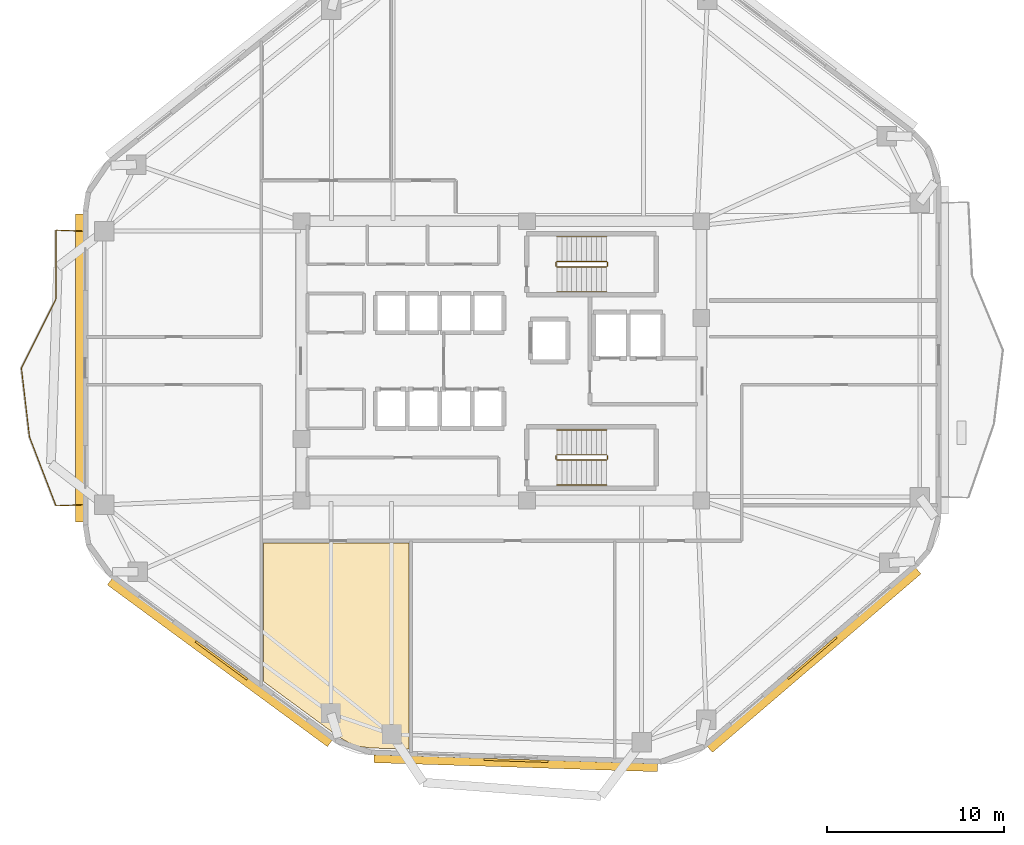
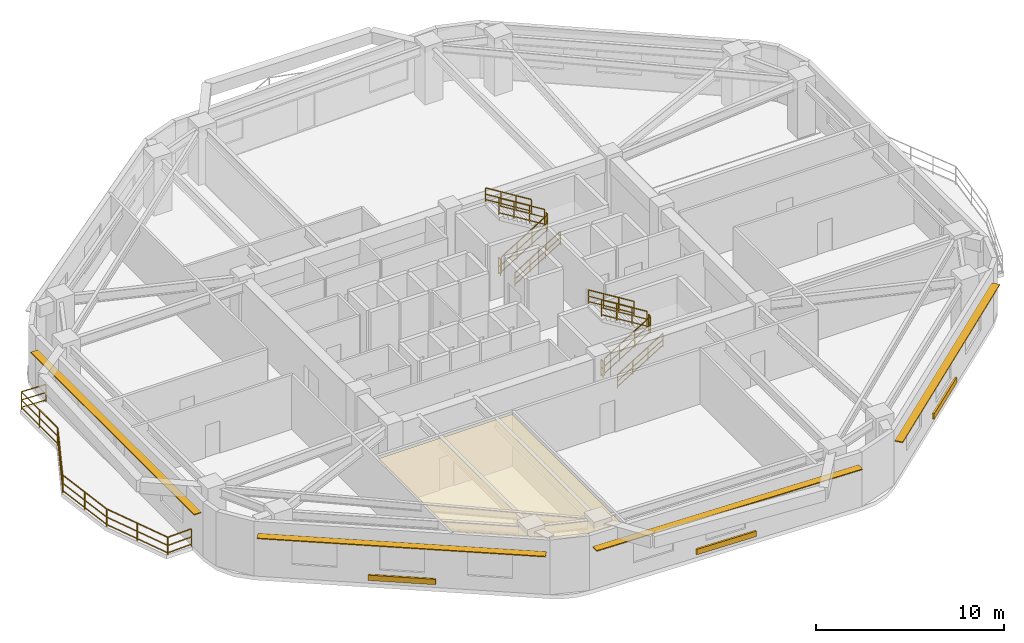
# One storey, part 7 of 8: 18 railings, 7 shading devices, 1 covering.
"""IFC4 building model written with IfcOpenShell, lengths in metres."""

from ifc_helpers import new_model, si_unit, direction, frame, origin, origin_2d, place, context, subcontext, project, spatial, polyline, rectangle, outline, extrude, material, layer, layer_set, type_object, element, save


model = new_model("IFC4")

# Units and contexts
model_context = context("Model", 3, precision=1e-05, world=origin(), true_north=direction((0.0, 1.0)))
body_context = subcontext(model_context, "Body", "Model", "MODEL_VIEW")
ifc_project = project(units=[si_unit("LENGTHUNIT", "METRE"), si_unit("AREAUNIT", "SQUARE_METRE"), si_unit("VOLUMEUNIT", "CUBIC_METRE"), si_unit("PLANEANGLEUNIT", "RADIAN"), si_unit("MASSUNIT", "GRAM", prefix="KILO")], contexts=[model_context])

# Site, building, storey
site_placement = place(None, origin())
site = spatial("IfcSite", under=ifc_project, at=site_placement, CompositionType="ELEMENT")
building_placement = place(site_placement, origin())
building = spatial("IfcBuilding", under=site, at=building_placement, Name="Zulverin Broadcast Headquarters", CompositionType="ELEMENT")
storey_placement = place(building_placement, frame((0.0, 0.0, 151.60009765625)))
storey = spatial("IfcBuildingStorey", under=building, at=storey_placement, Name="L38", CompositionType="ELEMENT", Elevation=151.60009765625)

# Covering
ifc_material_1 = material(Name="Perforated pale-metal acoustic baffle ceiling", Category="aluminium")
ifc_layer_1 = layer(ifc_material_1, 0.0400390625, Name="Perforated pale-metal acoustic baffle ceiling", Category="aluminium")
ifc_layer_set_1 = layer_set([ifc_layer_1], Name="Perforated pale-metal acoustic baffle ceiling")
covering_type = type_object("IfcCoveringType", Name="COV-CEIL-ACOU", PredefinedType="CEILING", material=ifc_layer_set_1)
covering_placement = place(storey_placement, frame((0.0, 0.0, 3.35986328125)))
element("IfcCovering", 1, at=covering_placement, inside=storey, type_object=covering_type, Name="L38 Acoustic Baffle Ceiling 03", PredefinedType="CEILING", context=body_context, shape_type="SweptSolid", body=[
    extrude(outline(polyline([(28.39599609375, 3.659912109375), (29.0, 3.447998046875), (29.652099609375, 3.364013671875), (31.780029296875, 3.2958984375), (31.780029296875, 14.931884765625), (23.572021484375, 14.931884765625), (23.572021484375, 7.1201171875), (27.823974609375, 3.99609375), (28.39599609375, 3.659912109375)])), origin(), (0.0, 0.0, 1.0), 0.0400390625),
])

# Railings
ifc_material_2 = material(Name="Brushed stainless steel & laminated glass balustrade", Category="steel")
railing_type_1 = type_object("IfcRailingType", Name="RL-GUARD-1150", PredefinedType="GUARDRAIL", material=ifc_material_2)
railing_1_placement = place(storey_placement, frame((13.360107421875, 32.51318359375, 0.0)))
element("IfcRailing", 2, at=railing_1_placement, inside=storey, type_object=railing_type_1, Name="L38 Vertical-Forest Balcony Guardrail BAL_W Segment 01", PredefinedType="GUARDRAIL", context=body_context, shape_type="SweptSolid", body=[
    extrude(rectangle(XDim=0.048095703125, YDim=0.048095703125, at=origin_2d()), frame((0.0, 0.0, 1.1259765625), z_axis=(-0.999181155166, 0.040460093435, 0.0), x_axis=(-0.040460093435, -0.999181155166, 0.0)), (0.0, 0.0, 1.0), 1.46630859375),
    extrude(rectangle(XDim=0.0419921875, YDim=0.0419921875, at=origin_2d()), frame((0.0, 0.0, 0.597900390625), z_axis=(-0.999181155166, 0.040460093435, 0.0), x_axis=(-0.040460093435, -0.999181155166, 0.0)), (0.0, 0.0, 1.0), 1.46630859375),
    extrude(rectangle(XDim=0.0419921875, YDim=0.0419921875, at=origin_2d()), frame((0.0, 0.0, 0.1201171875), z_axis=(-0.999181155166, 0.040460093435, 0.0), x_axis=(-0.040460093435, -0.999181155166, 0.0)), (0.0, 0.0, 1.0), 1.46630859375),
    extrude(rectangle(XDim=0.0419921875, YDim=0.0419921875, at=origin_2d()), origin(), (0.0, 0.0, 1.0), 1.101806640625),
    extrude(rectangle(XDim=0.0419921875, YDim=0.0419921875, at=origin_2d()), frame((-1.465087890625, 0.059326171875, 0.0)), (0.0, 0.0, 1.0), 1.101806640625),
])
railing_2_placement = place(storey_placement, frame((11.8798828125, 32.55810546875, 0.0)))
element("IfcRailing", 3, at=railing_2_placement, inside=storey, type_object=railing_type_1, Name="L38 Vertical-Forest Balcony Guardrail BAL_W Segment 02", PredefinedType="GUARDRAIL", context=body_context, shape_type="SweptSolid", body=[
    extrude(rectangle(XDim=0.048095703125, YDim=0.048095703125, at=origin_2d()), frame((0.0, 0.0, 1.1259765625), z_axis=(0.0, -1.0, 0.0), x_axis=(1.0, 0.0, 0.0)), (0.0, 0.0, 1.0), 3.857666015625),
    extrude(rectangle(XDim=0.0419921875, YDim=0.0419921875, at=origin_2d()), frame((0.0, 0.0, 0.597900390625), z_axis=(0.0, -1.0, 0.0), x_axis=(1.0, 0.0, 0.0)), (0.0, 0.0, 1.0), 3.857666015625),
    extrude(rectangle(XDim=0.0419921875, YDim=0.0419921875, at=origin_2d()), frame((0.0, 0.0, 0.1201171875), z_axis=(0.0, -1.0, 0.0), x_axis=(1.0, 0.0, 0.0)), (0.0, 0.0, 1.0), 3.857666015625),
    extrude(rectangle(XDim=0.0419921875, YDim=0.0419921875, at=origin_2d()), origin(), (0.0, 0.0, 1.0), 1.101806640625),
    extrude(rectangle(XDim=0.0419921875, YDim=0.0419921875, at=origin_2d()), frame((0.0, -1.9287109375, 0.0)), (0.0, 0.0, 1.0), 1.101806640625),
    extrude(rectangle(XDim=0.0419921875, YDim=0.0419921875, at=origin_2d()), frame((0.0, -3.857666015625, 0.0)), (0.0, 0.0, 1.0), 1.101806640625),
])
railing_3_placement = place(storey_placement, frame((11.873291015625, 28.672119140625, 0.0)))
element("IfcRailing", 4, at=railing_3_placement, inside=storey, type_object=railing_type_1, Name="L38 Vertical-Forest Balcony Guardrail BAL_W Segment 03", PredefinedType="GUARDRAIL", context=body_context, shape_type="SweptSolid", body=[
    extrude(rectangle(XDim=0.048095703125, YDim=0.048095703125, at=origin_2d()), frame((0.0, 0.0, 1.1259765625), z_axis=(-0.44832105539, -0.893872603504, 0.0), x_axis=(0.893872603504, -0.44832105539, 0.0)), (0.0, 0.0, 1.0), 4.319580078125),
    extrude(rectangle(XDim=0.0419921875, YDim=0.0419921875, at=origin_2d()), frame((0.0, 0.0, 0.597900390625), z_axis=(-0.44832105539, -0.893872603504, 0.0), x_axis=(0.893872603504, -0.44832105539, 0.0)), (0.0, 0.0, 1.0), 4.319580078125),
    extrude(rectangle(XDim=0.0419921875, YDim=0.0419921875, at=origin_2d()), frame((0.0, 0.0, 0.1201171875), z_axis=(-0.44832105539, -0.893872603504, 0.0), x_axis=(0.893872603504, -0.44832105539, 0.0)), (0.0, 0.0, 1.0), 4.319580078125),
    extrude(rectangle(XDim=0.0419921875, YDim=0.0419921875, at=origin_2d()), origin(), (0.0, 0.0, 1.0), 1.101806640625),
    extrude(rectangle(XDim=0.0419921875, YDim=0.0419921875, at=origin_2d()), frame((-0.96826171875, -1.9306640625, 0.0)), (0.0, 0.0, 1.0), 1.101806640625),
    extrude(rectangle(XDim=0.0419921875, YDim=0.0419921875, at=origin_2d()), frame((-1.9365234375, -3.861083984375, 0.0)), (0.0, 0.0, 1.0), 1.101806640625),
])
railing_4_placement = place(storey_placement, frame((9.931640625, 24.78271484375, 0.0)))
element("IfcRailing", 5, at=railing_4_placement, inside=storey, type_object=railing_type_1, Name="L38 Vertical-Forest Balcony Guardrail BAL_W Segment 04", PredefinedType="GUARDRAIL", context=body_context, shape_type="SweptSolid", body=[
    extrude(rectangle(XDim=0.048095703125, YDim=0.048095703125, at=origin_2d()), frame((0.0, 0.0, 1.1259765625), z_axis=(0.116582345699, -0.993181029154, 0.0), x_axis=(0.993181029154, 0.116582345699, 0.0)), (0.0, 0.0, 1.0), 3.884765625),
    extrude(rectangle(XDim=0.0419921875, YDim=0.0419921875, at=origin_2d()), frame((0.0, 0.0, 0.597900390625), z_axis=(0.116582345699, -0.993181029154, 0.0), x_axis=(0.993181029154, 0.116582345699, 0.0)), (0.0, 0.0, 1.0), 3.884765625),
    extrude(rectangle(XDim=0.0419921875, YDim=0.0419921875, at=origin_2d()), frame((0.0, 0.0, 0.1201171875), z_axis=(0.116582345699, -0.993181029154, 0.0), x_axis=(0.993181029154, 0.116582345699, 0.0)), (0.0, 0.0, 1.0), 3.884765625),
    extrude(rectangle(XDim=0.0419921875, YDim=0.0419921875, at=origin_2d()), origin(), (0.0, 0.0, 1.0), 1.101806640625),
    extrude(rectangle(XDim=0.0419921875, YDim=0.0419921875, at=origin_2d()), frame((0.2265625, -1.92919921875, 0.0)), (0.0, 0.0, 1.0), 1.101806640625),
    extrude(rectangle(XDim=0.0419921875, YDim=0.0419921875, at=origin_2d()), frame((0.452880859375, -3.858154296875, 0.0)), (0.0, 0.0, 1.0), 1.101806640625),
])
railing_5_placement = place(storey_placement, frame((10.3916015625, 20.895751953125, 0.0)))
element("IfcRailing", 6, at=railing_5_placement, inside=storey, type_object=railing_type_1, Name="L38 Vertical-Forest Balcony Guardrail BAL_W Segment 05", PredefinedType="GUARDRAIL", context=body_context, shape_type="SweptSolid", body=[
    extrude(rectangle(XDim=0.048095703125, YDim=0.048095703125, at=origin_2d()), frame((0.0, 0.0, 1.1259765625), z_axis=(0.358630879649, -0.933479454601, 0.0), x_axis=(0.933479454601, 0.358630879649, 0.0)), (0.0, 0.0, 1.0), 4.135009765625),
    extrude(rectangle(XDim=0.0419921875, YDim=0.0419921875, at=origin_2d()), frame((0.0, 0.0, 0.597900390625), z_axis=(0.358630879649, -0.933479454601, 0.0), x_axis=(0.933479454601, 0.358630879649, 0.0)), (0.0, 0.0, 1.0), 4.135009765625),
    extrude(rectangle(XDim=0.0419921875, YDim=0.0419921875, at=origin_2d()), frame((0.0, 0.0, 0.1201171875), z_axis=(0.358630879649, -0.933479454601, 0.0), x_axis=(0.933479454601, 0.358630879649, 0.0)), (0.0, 0.0, 1.0), 4.135009765625),
    extrude(rectangle(XDim=0.0419921875, YDim=0.0419921875, at=origin_2d()), origin(), (0.0, 0.0, 1.0), 1.101806640625),
    extrude(rectangle(XDim=0.0419921875, YDim=0.0419921875, at=origin_2d()), frame((0.741455078125, -1.929931640625, 0.0)), (0.0, 0.0, 1.0), 1.101806640625),
    extrude(rectangle(XDim=0.0419921875, YDim=0.0419921875, at=origin_2d()), frame((1.48291015625, -3.85986328125, 0.0)), (0.0, 0.0, 1.0), 1.101806640625),
])
railing_6_placement = place(storey_placement, frame((11.89501953125, 17.0224609375, 0.0)))
element("IfcRailing", 7, at=railing_6_placement, inside=storey, type_object=railing_type_1, Name="L38 Vertical-Forest Balcony Guardrail BAL_W Segment 06", PredefinedType="GUARDRAIL", context=body_context, shape_type="SweptSolid", body=[
    extrude(rectangle(XDim=0.048095703125, YDim=0.048095703125, at=origin_2d()), frame((0.0, 0.0, 1.1259765625), z_axis=(0.999181155166, 0.040460093435, 0.0), x_axis=(-0.040460093435, 0.999181155166, 0.0)), (0.0, 0.0, 1.0), 1.46630859375),
    extrude(rectangle(XDim=0.0419921875, YDim=0.0419921875, at=origin_2d()), frame((0.0, 0.0, 0.597900390625), z_axis=(0.999181155166, 0.040460093435, 0.0), x_axis=(-0.040460093435, 0.999181155166, 0.0)), (0.0, 0.0, 1.0), 1.46630859375),
    extrude(rectangle(XDim=0.0419921875, YDim=0.0419921875, at=origin_2d()), frame((0.0, 0.0, 0.1201171875), z_axis=(0.999181155166, 0.040460093435, 0.0), x_axis=(-0.040460093435, 0.999181155166, 0.0)), (0.0, 0.0, 1.0), 1.46630859375),
    extrude(rectangle(XDim=0.0419921875, YDim=0.0419921875, at=origin_2d()), origin(), (0.0, 0.0, 1.0), 1.101806640625),
    extrude(rectangle(XDim=0.0419921875, YDim=0.0419921875, at=origin_2d()), frame((1.465087890625, 0.059326171875, 0.0)), (0.0, 0.0, 1.0), 1.101806640625),
])
ifc_material_3 = material(Name="Painted galvanized steel tubular guardrail S355JR", Category="steel")
railing_type_2 = type_object("IfcRailingType", Name="RL-ST-GUARD", PredefinedType="GUARDRAIL", material=ifc_material_3)
railing_7_placement = place(storey_placement, frame((40.1298828125, 30.5, 0.172607421875)))
element("IfcRailing", 8, at=railing_7_placement, inside=storey, type_object=railing_type_2, Name="L38 ST-1 stair guard 1", PredefinedType="GUARDRAIL", context=body_context, shape_type="SweptSolid", body=[
    extrude(rectangle(XDim=0.048095703125, YDim=0.048095703125, at=origin_2d()), frame((0.0, 0.0, 1.076171875), z_axis=(0.851089632645, 0.0, 0.525020415988), x_axis=(0.0, 1.0, 0.0)), (0.0, 0.0, 1.0), 3.2900390625),
    extrude(rectangle(XDim=0.0419921875, YDim=0.0419921875, at=origin_2d()), frame((0.0, 0.0, 0.572021484375), z_axis=(0.851089632645, 0.0, 0.525020415988), x_axis=(0.0, 1.0, 0.0)), (0.0, 0.0, 1.0), 3.2900390625),
    extrude(rectangle(XDim=0.0419921875, YDim=0.0419921875, at=origin_2d()), frame((0.0, 0.0, 0.1201171875), z_axis=(0.851089632645, 0.0, 0.525020415988), x_axis=(0.0, 1.0, 0.0)), (0.0, 0.0, 1.0), 3.2900390625),
    extrude(rectangle(XDim=0.0419921875, YDim=0.0419921875, at=origin_2d()), origin(), (0.0, 0.0, 1.0), 1.052001953125),
    extrude(rectangle(XDim=0.0419921875, YDim=0.0419921875, at=origin_2d()), frame((0.933349609375, 0.0, 0.57568359375)), (0.0, 0.0, 1.0), 1.052001953125),
    extrude(rectangle(XDim=0.0419921875, YDim=0.0419921875, at=origin_2d()), frame((1.86669921875, 0.0, 1.151611328125)), (0.0, 0.0, 1.0), 1.052001953125),
    extrude(rectangle(XDim=0.0419921875, YDim=0.0419921875, at=origin_2d()), frame((2.800048828125, 0.0, 1.727294921875)), (0.0, 0.0, 1.0), 1.052001953125),
])
railing_8_placement = place(storey_placement, frame((42.97998046875, 30.550048828125, 1.89990234375)))
element("IfcRailing", 9, at=railing_8_placement, inside=storey, type_object=railing_type_2, Name="L38 ST-1 stair guard 2", PredefinedType="GUARDRAIL", context=body_context, shape_type="SweptSolid", body=[
    extrude(rectangle(XDim=0.048095703125, YDim=0.048095703125, at=origin_2d()), frame((0.0, 0.0, 1.076171875), z_axis=(0.0, 1.0, 0.0), x_axis=(-1.0, 0.0, 0.0)), (0.0, 0.0, 1.0), 0.199951171875),
    extrude(rectangle(XDim=0.0419921875, YDim=0.0419921875, at=origin_2d()), frame((0.0, 0.0, 0.572021484375), z_axis=(0.0, 1.0, 0.0), x_axis=(-1.0, 0.0, 0.0)), (0.0, 0.0, 1.0), 0.199951171875),
    extrude(rectangle(XDim=0.0419921875, YDim=0.0419921875, at=origin_2d()), frame((0.0, 0.0, 0.1201171875), z_axis=(0.0, 1.0, 0.0), x_axis=(-1.0, 0.0, 0.0)), (0.0, 0.0, 1.0), 0.199951171875),
    extrude(rectangle(XDim=0.0419921875, YDim=0.0419921875, at=origin_2d()), origin(), (0.0, 0.0, 1.0), 1.052001953125),
    extrude(rectangle(XDim=0.0419921875, YDim=0.0419921875, at=origin_2d()), frame((0.0, 0.199951171875, 0.0)), (0.0, 0.0, 1.0), 1.052001953125),
])
railing_9_placement = place(storey_placement, frame((42.929931640625, 30.800048828125, 2.072509765625)))
element("IfcRailing", 10, at=railing_9_placement, inside=storey, type_object=railing_type_2, Name="L38 ST-1 stair guard 3", PredefinedType="GUARDRAIL", context=body_context, shape_type="SweptSolid", body=[
    extrude(rectangle(XDim=0.048095703125, YDim=0.048095703125, at=origin_2d()), frame((0.0, 0.0, 1.076171875), z_axis=(-0.851089632645, 0.0, 0.525020415988), x_axis=(0.0, -1.0, 0.0)), (0.0, 0.0, 1.0), 3.2900390625),
    extrude(rectangle(XDim=0.0419921875, YDim=0.0419921875, at=origin_2d()), frame((0.0, 0.0, 0.572021484375), z_axis=(-0.851089632645, 0.0, 0.525020415988), x_axis=(0.0, -1.0, 0.0)), (0.0, 0.0, 1.0), 3.2900390625),
    extrude(rectangle(XDim=0.0419921875, YDim=0.0419921875, at=origin_2d()), frame((0.0, 0.0, 0.1201171875), z_axis=(-0.851089632645, 0.0, 0.525020415988), x_axis=(0.0, -1.0, 0.0)), (0.0, 0.0, 1.0), 3.2900390625),
    extrude(rectangle(XDim=0.0419921875, YDim=0.0419921875, at=origin_2d()), origin(), (0.0, 0.0, 1.0), 1.052001953125),
    extrude(rectangle(XDim=0.0419921875, YDim=0.0419921875, at=origin_2d()), frame((-0.933349609375, 0.0, 0.57568359375)), (0.0, 0.0, 1.0), 1.052001953125),
    extrude(rectangle(XDim=0.0419921875, YDim=0.0419921875, at=origin_2d()), frame((-1.86669921875, 0.0, 1.151611328125)), (0.0, 0.0, 1.0), 1.052001953125),
    extrude(rectangle(XDim=0.0419921875, YDim=0.0419921875, at=origin_2d()), frame((-2.800048828125, 0.0, 1.727294921875)), (0.0, 0.0, 1.0), 1.052001953125),
])
railing_10_placement = place(storey_placement, frame((40.080078125, 30.550048828125, 0.0)))
element("IfcRailing", 11, at=railing_10_placement, inside=storey, type_object=railing_type_2, Name="L38 ST-1 stair guard 4", PredefinedType="GUARDRAIL", context=body_context, shape_type="SweptSolid", body=[
    extrude(rectangle(XDim=0.048095703125, YDim=0.048095703125, at=origin_2d()), frame((0.0, 0.0, 1.076171875), z_axis=(0.0, 1.0, 0.0), x_axis=(-1.0, 0.0, 0.0)), (0.0, 0.0, 1.0), 0.199951171875),
    extrude(rectangle(XDim=0.0419921875, YDim=0.0419921875, at=origin_2d()), frame((0.0, 0.0, 0.572021484375), z_axis=(0.0, 1.0, 0.0), x_axis=(-1.0, 0.0, 0.0)), (0.0, 0.0, 1.0), 0.199951171875),
    extrude(rectangle(XDim=0.0419921875, YDim=0.0419921875, at=origin_2d()), frame((0.0, 0.0, 0.1201171875), z_axis=(0.0, 1.0, 0.0), x_axis=(-1.0, 0.0, 0.0)), (0.0, 0.0, 1.0), 0.199951171875),
    extrude(rectangle(XDim=0.0419921875, YDim=0.0419921875, at=origin_2d()), origin(), (0.0, 0.0, 1.0), 1.052001953125),
    extrude(rectangle(XDim=0.0419921875, YDim=0.0419921875, at=origin_2d()), frame((0.0, 0.199951171875, 0.0)), (0.0, 0.0, 1.0), 1.052001953125),
])
railing_11_placement = place(storey_placement, frame((40.1298828125, 19.60009765625, 0.172607421875)))
element("IfcRailing", 12, at=railing_11_placement, inside=storey, type_object=railing_type_2, Name="L38 ST-2 stair guard 1", PredefinedType="GUARDRAIL", context=body_context, shape_type="SweptSolid", body=[
    extrude(rectangle(XDim=0.048095703125, YDim=0.048095703125, at=origin_2d()), frame((0.0, 0.0, 1.076171875), z_axis=(0.851089632645, 0.0, 0.525020415988), x_axis=(0.0, 1.0, 0.0)), (0.0, 0.0, 1.0), 3.2900390625),
    extrude(rectangle(XDim=0.0419921875, YDim=0.0419921875, at=origin_2d()), frame((0.0, 0.0, 0.572021484375), z_axis=(0.851089632645, 0.0, 0.525020415988), x_axis=(0.0, 1.0, 0.0)), (0.0, 0.0, 1.0), 3.2900390625),
    extrude(rectangle(XDim=0.0419921875, YDim=0.0419921875, at=origin_2d()), frame((0.0, 0.0, 0.1201171875), z_axis=(0.851089632645, 0.0, 0.525020415988), x_axis=(0.0, 1.0, 0.0)), (0.0, 0.0, 1.0), 3.2900390625),
    extrude(rectangle(XDim=0.0419921875, YDim=0.0419921875, at=origin_2d()), origin(), (0.0, 0.0, 1.0), 1.052001953125),
    extrude(rectangle(XDim=0.0419921875, YDim=0.0419921875, at=origin_2d()), frame((0.933349609375, 0.0, 0.57568359375)), (0.0, 0.0, 1.0), 1.052001953125),
    extrude(rectangle(XDim=0.0419921875, YDim=0.0419921875, at=origin_2d()), frame((1.86669921875, 0.0, 1.151611328125)), (0.0, 0.0, 1.0), 1.052001953125),
    extrude(rectangle(XDim=0.0419921875, YDim=0.0419921875, at=origin_2d()), frame((2.800048828125, 0.0, 1.727294921875)), (0.0, 0.0, 1.0), 1.052001953125),
])
railing_12_placement = place(storey_placement, frame((42.97998046875, 19.64990234375, 1.89990234375)))
element("IfcRailing", 13, at=railing_12_placement, inside=storey, type_object=railing_type_2, Name="L38 ST-2 stair guard 2", PredefinedType="GUARDRAIL", context=body_context, shape_type="SweptSolid", body=[
    extrude(rectangle(XDim=0.048095703125, YDim=0.048095703125, at=origin_2d()), frame((0.0, 0.0, 1.076171875), z_axis=(0.0, 1.0, 0.0), x_axis=(-1.0, 0.0, 0.0)), (0.0, 0.0, 1.0), 0.2001953125),
    extrude(rectangle(XDim=0.0419921875, YDim=0.0419921875, at=origin_2d()), frame((0.0, 0.0, 0.572021484375), z_axis=(0.0, 1.0, 0.0), x_axis=(-1.0, 0.0, 0.0)), (0.0, 0.0, 1.0), 0.2001953125),
    extrude(rectangle(XDim=0.0419921875, YDim=0.0419921875, at=origin_2d()), frame((0.0, 0.0, 0.1201171875), z_axis=(0.0, 1.0, 0.0), x_axis=(-1.0, 0.0, 0.0)), (0.0, 0.0, 1.0), 0.2001953125),
    extrude(rectangle(XDim=0.0419921875, YDim=0.0419921875, at=origin_2d()), origin(), (0.0, 0.0, 1.0), 1.052001953125),
    extrude(rectangle(XDim=0.0419921875, YDim=0.0419921875, at=origin_2d()), frame((0.0, 0.2001953125, 0.0)), (0.0, 0.0, 1.0), 1.052001953125),
])
railing_13_placement = place(storey_placement, frame((42.929931640625, 19.89990234375, 2.072509765625)))
element("IfcRailing", 14, at=railing_13_placement, inside=storey, type_object=railing_type_2, Name="L38 ST-2 stair guard 3", PredefinedType="GUARDRAIL", context=body_context, shape_type="SweptSolid", body=[
    extrude(rectangle(XDim=0.048095703125, YDim=0.048095703125, at=origin_2d()), frame((0.0, 0.0, 1.076171875), z_axis=(-0.851089632645, 0.0, 0.525020415988), x_axis=(0.0, -1.0, 0.0)), (0.0, 0.0, 1.0), 3.2900390625),
    extrude(rectangle(XDim=0.0419921875, YDim=0.0419921875, at=origin_2d()), frame((0.0, 0.0, 0.572021484375), z_axis=(-0.851089632645, 0.0, 0.525020415988), x_axis=(0.0, -1.0, 0.0)), (0.0, 0.0, 1.0), 3.2900390625),
    extrude(rectangle(XDim=0.0419921875, YDim=0.0419921875, at=origin_2d()), frame((0.0, 0.0, 0.1201171875), z_axis=(-0.851089632645, 0.0, 0.525020415988), x_axis=(0.0, -1.0, 0.0)), (0.0, 0.0, 1.0), 3.2900390625),
    extrude(rectangle(XDim=0.0419921875, YDim=0.0419921875, at=origin_2d()), origin(), (0.0, 0.0, 1.0), 1.052001953125),
    extrude(rectangle(XDim=0.0419921875, YDim=0.0419921875, at=origin_2d()), frame((-0.933349609375, 0.0, 0.57568359375)), (0.0, 0.0, 1.0), 1.052001953125),
    extrude(rectangle(XDim=0.0419921875, YDim=0.0419921875, at=origin_2d()), frame((-1.86669921875, 0.0, 1.151611328125)), (0.0, 0.0, 1.0), 1.052001953125),
    extrude(rectangle(XDim=0.0419921875, YDim=0.0419921875, at=origin_2d()), frame((-2.800048828125, 0.0, 1.727294921875)), (0.0, 0.0, 1.0), 1.052001953125),
])
railing_14_placement = place(storey_placement, frame((40.080078125, 19.64990234375, 0.0)))
element("IfcRailing", 15, at=railing_14_placement, inside=storey, type_object=railing_type_2, Name="L38 ST-2 stair guard 4", PredefinedType="GUARDRAIL", context=body_context, shape_type="SweptSolid", body=[
    extrude(rectangle(XDim=0.048095703125, YDim=0.048095703125, at=origin_2d()), frame((0.0, 0.0, 1.076171875), z_axis=(0.0, 1.0, 0.0), x_axis=(-1.0, 0.0, 0.0)), (0.0, 0.0, 1.0), 0.2001953125),
    extrude(rectangle(XDim=0.0419921875, YDim=0.0419921875, at=origin_2d()), frame((0.0, 0.0, 0.572021484375), z_axis=(0.0, 1.0, 0.0), x_axis=(-1.0, 0.0, 0.0)), (0.0, 0.0, 1.0), 0.2001953125),
    extrude(rectangle(XDim=0.0419921875, YDim=0.0419921875, at=origin_2d()), frame((0.0, 0.0, 0.1201171875), z_axis=(0.0, 1.0, 0.0), x_axis=(-1.0, 0.0, 0.0)), (0.0, 0.0, 1.0), 0.2001953125),
    extrude(rectangle(XDim=0.0419921875, YDim=0.0419921875, at=origin_2d()), origin(), (0.0, 0.0, 1.0), 1.052001953125),
    extrude(rectangle(XDim=0.0419921875, YDim=0.0419921875, at=origin_2d()), frame((0.0, 0.2001953125, 0.0)), (0.0, 0.0, 1.0), 1.052001953125),
])
ifc_material_4 = material(Name="Brushed stainless steel 48 mm handrail", Category="steel")
railing_type_3 = type_object("IfcRailingType", Name="RL-ST-HAND", PredefinedType="HANDRAIL", material=ifc_material_4)
railing_15_placement = place(storey_placement, frame((40.1298828125, 29.10009765625, 0.172607421875)))
element("IfcRailing", 16, at=railing_15_placement, inside=storey, type_object=railing_type_3, Name="L38 ST-1 stair handrail 1", PredefinedType="HANDRAIL", context=body_context, shape_type="SweptSolid", body=[
    extrude(rectangle(XDim=0.048095703125, YDim=0.048095703125, at=origin_2d()), frame((0.0, 0.0, 0.8759765625), z_axis=(0.851089632645, 0.0, 0.525020415988), x_axis=(0.0, 1.0, 0.0)), (0.0, 0.0, 1.0), 3.2900390625),
    extrude(rectangle(XDim=0.0419921875, YDim=0.0419921875, at=origin_2d()), frame((0.0, 0.0, 0.468017578125), z_axis=(0.851089632645, 0.0, 0.525020415988), x_axis=(0.0, 1.0, 0.0)), (0.0, 0.0, 1.0), 3.2900390625),
    extrude(rectangle(XDim=0.0419921875, YDim=0.0419921875, at=origin_2d()), frame((0.0, 0.0, 0.1201171875), z_axis=(0.851089632645, 0.0, 0.525020415988), x_axis=(0.0, 1.0, 0.0)), (0.0, 0.0, 1.0), 3.2900390625),
    extrude(rectangle(XDim=0.0419921875, YDim=0.0419921875, at=origin_2d()), origin(), (0.0, 0.0, 1.0), 0.851806640625),
    extrude(rectangle(XDim=0.0419921875, YDim=0.0419921875, at=origin_2d()), frame((0.933349609375, 0.0, 0.57568359375)), (0.0, 0.0, 1.0), 0.851806640625),
    extrude(rectangle(XDim=0.0419921875, YDim=0.0419921875, at=origin_2d()), frame((1.86669921875, 0.0, 1.151611328125)), (0.0, 0.0, 1.0), 0.851806640625),
    extrude(rectangle(XDim=0.0419921875, YDim=0.0419921875, at=origin_2d()), frame((2.800048828125, 0.0, 1.727294921875)), (0.0, 0.0, 1.0), 0.851806640625),
])
railing_16_placement = place(storey_placement, frame((42.929931640625, 32.199951171875, 2.072509765625)))
element("IfcRailing", 17, at=railing_16_placement, inside=storey, type_object=railing_type_3, Name="L38 ST-1 stair handrail 2", PredefinedType="HANDRAIL", context=body_context, shape_type="SweptSolid", body=[
    extrude(rectangle(XDim=0.048095703125, YDim=0.048095703125, at=origin_2d()), frame((0.0, 0.0, 0.8759765625), z_axis=(-0.851089632645, 0.0, 0.525020415988), x_axis=(0.0, -1.0, 0.0)), (0.0, 0.0, 1.0), 3.2900390625),
    extrude(rectangle(XDim=0.0419921875, YDim=0.0419921875, at=origin_2d()), frame((0.0, 0.0, 0.468017578125), z_axis=(-0.851089632645, 0.0, 0.525020415988), x_axis=(0.0, -1.0, 0.0)), (0.0, 0.0, 1.0), 3.2900390625),
    extrude(rectangle(XDim=0.0419921875, YDim=0.0419921875, at=origin_2d()), frame((0.0, 0.0, 0.1201171875), z_axis=(-0.851089632645, 0.0, 0.525020415988), x_axis=(0.0, -1.0, 0.0)), (0.0, 0.0, 1.0), 3.2900390625),
    extrude(rectangle(XDim=0.0419921875, YDim=0.0419921875, at=origin_2d()), origin(), (0.0, 0.0, 1.0), 0.851806640625),
    extrude(rectangle(XDim=0.0419921875, YDim=0.0419921875, at=origin_2d()), frame((-0.933349609375, 0.0, 0.57568359375)), (0.0, 0.0, 1.0), 0.851806640625),
    extrude(rectangle(XDim=0.0419921875, YDim=0.0419921875, at=origin_2d()), frame((-1.86669921875, 0.0, 1.151611328125)), (0.0, 0.0, 1.0), 0.851806640625),
    extrude(rectangle(XDim=0.0419921875, YDim=0.0419921875, at=origin_2d()), frame((-2.800048828125, 0.0, 1.727294921875)), (0.0, 0.0, 1.0), 0.851806640625),
])
railing_17_placement = place(storey_placement, frame((40.1298828125, 18.199951171875, 0.172607421875)))
element("IfcRailing", 18, at=railing_17_placement, inside=storey, type_object=railing_type_3, Name="L38 ST-2 stair handrail 1", PredefinedType="HANDRAIL", context=body_context, shape_type="SweptSolid", body=[
    extrude(rectangle(XDim=0.048095703125, YDim=0.048095703125, at=origin_2d()), frame((0.0, 0.0, 0.8759765625), z_axis=(0.851089632645, 0.0, 0.525020415988), x_axis=(0.0, 1.0, 0.0)), (0.0, 0.0, 1.0), 3.2900390625),
    extrude(rectangle(XDim=0.0419921875, YDim=0.0419921875, at=origin_2d()), frame((0.0, 0.0, 0.468017578125), z_axis=(0.851089632645, 0.0, 0.525020415988), x_axis=(0.0, 1.0, 0.0)), (0.0, 0.0, 1.0), 3.2900390625),
    extrude(rectangle(XDim=0.0419921875, YDim=0.0419921875, at=origin_2d()), frame((0.0, 0.0, 0.1201171875), z_axis=(0.851089632645, 0.0, 0.525020415988), x_axis=(0.0, 1.0, 0.0)), (0.0, 0.0, 1.0), 3.2900390625),
    extrude(rectangle(XDim=0.0419921875, YDim=0.0419921875, at=origin_2d()), origin(), (0.0, 0.0, 1.0), 0.851806640625),
    extrude(rectangle(XDim=0.0419921875, YDim=0.0419921875, at=origin_2d()), frame((0.933349609375, 0.0, 0.57568359375)), (0.0, 0.0, 1.0), 0.851806640625),
    extrude(rectangle(XDim=0.0419921875, YDim=0.0419921875, at=origin_2d()), frame((1.86669921875, 0.0, 1.151611328125)), (0.0, 0.0, 1.0), 0.851806640625),
    extrude(rectangle(XDim=0.0419921875, YDim=0.0419921875, at=origin_2d()), frame((2.800048828125, 0.0, 1.727294921875)), (0.0, 0.0, 1.0), 0.851806640625),
])
railing_18_placement = place(storey_placement, frame((42.929931640625, 21.300048828125, 2.072509765625)))
element("IfcRailing", 19, at=railing_18_placement, inside=storey, type_object=railing_type_3, Name="L38 ST-2 stair handrail 2", PredefinedType="HANDRAIL", context=body_context, shape_type="SweptSolid", body=[
    extrude(rectangle(XDim=0.048095703125, YDim=0.048095703125, at=origin_2d()), frame((0.0, 0.0, 0.8759765625), z_axis=(-0.851089632645, 0.0, 0.525020415988), x_axis=(0.0, -1.0, 0.0)), (0.0, 0.0, 1.0), 3.2900390625),
    extrude(rectangle(XDim=0.0419921875, YDim=0.0419921875, at=origin_2d()), frame((0.0, 0.0, 0.468017578125), z_axis=(-0.851089632645, 0.0, 0.525020415988), x_axis=(0.0, -1.0, 0.0)), (0.0, 0.0, 1.0), 3.2900390625),
    extrude(rectangle(XDim=0.0419921875, YDim=0.0419921875, at=origin_2d()), frame((0.0, 0.0, 0.1201171875), z_axis=(-0.851089632645, 0.0, 0.525020415988), x_axis=(0.0, -1.0, 0.0)), (0.0, 0.0, 1.0), 3.2900390625),
    extrude(rectangle(XDim=0.0419921875, YDim=0.0419921875, at=origin_2d()), origin(), (0.0, 0.0, 1.0), 0.851806640625),
    extrude(rectangle(XDim=0.0419921875, YDim=0.0419921875, at=origin_2d()), frame((-0.933349609375, 0.0, 0.57568359375)), (0.0, 0.0, 1.0), 0.851806640625),
    extrude(rectangle(XDim=0.0419921875, YDim=0.0419921875, at=origin_2d()), frame((-1.86669921875, 0.0, 1.151611328125)), (0.0, 0.0, 1.0), 0.851806640625),
    extrude(rectangle(XDim=0.0419921875, YDim=0.0419921875, at=origin_2d()), frame((-2.800048828125, 0.0, 1.727294921875)), (0.0, 0.0, 1.0), 0.851806640625),
])

# Shading devices
ifc_material_5 = material(Name="Anodized pale-metal aluminium acoustic louvre", Category="aluminium")
shading_device_type_1 = type_object("IfcShadingDeviceType", Name="SHD-LOUVRE-350", PredefinedType="USERDEFINED", material=ifc_material_5)
for number, where, z_axis, x_axis, name in (
    (20, (37.81982421875, 2.66455078125, 0.244873046875), (0.0, 0.0, 1.0), (0.999497141269, -0.031709061709, 0.0), "L38 Spandrel Intake Louvre 1"),
    (21, (54.53466796875, 8.4404296875, 0.244873046875), (0.0, 0.0, 1.0), (0.759706154917, 0.650266528572, 0.0), "L38 Spandrel Intake Louvre 2"),
    (22, (21.212158203125, 8.309326171875, 0.244873046875), (0.0, 0.0, 1.0), (0.805802206513, -0.592184771822, 0.0), "L38 Spandrel Intake Louvre 8"),
):
    element("IfcShadingDevice", number, at=place(storey_placement, frame(where, z_axis=z_axis, x_axis=x_axis)), inside=storey, type_object=shading_device_type_1, Name=name, ObjectType="LOUVRE", PredefinedType="USERDEFINED", context=body_context, shape_type="SweptSolid", body=[
        extrude(rectangle(XDim=3.60009765625, YDim=0.1201171875, at=origin_2d()), origin(), (0.0, 0.0, 1.0), 0.35009765625),
    ])
ifc_material_6 = material(Name="Anodized pale-metal aluminium sunshade", Category="aluminium")
ifc_layer_2 = layer(ifc_material_6, 0.06005859375, Name="Anodized pale-metal aluminium sunshade", Category="aluminium")
ifc_layer_set_2 = layer_set([ifc_layer_2], Name="Anodized pale-metal aluminium sunshade")
shading_device_type_2 = type_object("IfcShadingDeviceType", Name="SS-01_PALE_METAL_ALUMINIUM_SUNSHADE", PredefinedType="USERDEFINED", material=ifc_layer_set_2)
shading_device_1_placement = place(storey_placement, frame((37.814697265625, 2.504638671875, 2.7099609375), z_axis=(0.0, 0.0, 1.0), x_axis=(0.999497141269, -0.031709061709, 0.0)))
element("IfcShadingDevice", 23, at=shading_device_1_placement, inside=storey, type_object=shading_device_type_2, Name="L38 Horizontal Pale-Metal Sunshade Band 1", ObjectType="SUNSHADE", PredefinedType="USERDEFINED", context=body_context, shape_type="SweptSolid", body=[
    extrude(rectangle(XDim=16.00830078125, YDim=0.449951171875, at=origin_2d()), origin(), (0.0, 0.0, 1.0), 0.06005859375),
])
shading_device_2_placement = place(storey_placement, frame((54.638671875, 8.319091796875, 2.7099609375), z_axis=(0.0, 0.0, 1.0), x_axis=(0.759706154917, 0.650266528572, 0.0)))
element("IfcShadingDevice", 24, at=shading_device_2_placement, inside=storey, type_object=shading_device_type_2, Name="L38 Horizontal Pale-Metal Sunshade Band 2", ObjectType="SUNSHADE", PredefinedType="USERDEFINED", context=body_context, shape_type="SweptSolid", body=[
    extrude(rectangle(XDim=15.48095703125, YDim=0.449951171875, at=origin_2d()), origin(), (0.0, 0.0, 1.0), 0.06005859375),
])
shading_device_3_placement = place(storey_placement, frame((13.199951171875, 24.797607421875, 2.7099609375), z_axis=(0.0, 0.0, 1.0), x_axis=(0.0, -1.0, 0.0)))
element("IfcShadingDevice", 25, at=shading_device_3_placement, inside=storey, type_object=shading_device_type_2, Name="L38 Horizontal Pale-Metal Sunshade Band 7", ObjectType="SUNSHADE", PredefinedType="USERDEFINED", context=body_context, shape_type="SweptSolid", body=[
    extrude(rectangle(XDim=17.351318359375, YDim=0.449951171875, at=origin_2d()), origin(), (0.0, 0.0, 1.0), 0.06005859375),
])
shading_device_4_placement = place(storey_placement, frame((21.1171875, 8.180419921875, 2.7099609375), z_axis=(0.0, 0.0, 1.0), x_axis=(0.805802206513, -0.592184771822, 0.0)))
element("IfcShadingDevice", 26, at=shading_device_4_placement, inside=storey, type_object=shading_device_type_2, Name="L38 Horizontal Pale-Metal Sunshade Band 8", ObjectType="SUNSHADE", PredefinedType="USERDEFINED", context=body_context, shape_type="SweptSolid", body=[
    extrude(rectangle(XDim=15.404541015625, YDim=0.449951171875, at=origin_2d()), origin(), (0.0, 0.0, 1.0), 0.06005859375),
])

save(model, "model.ifc")
